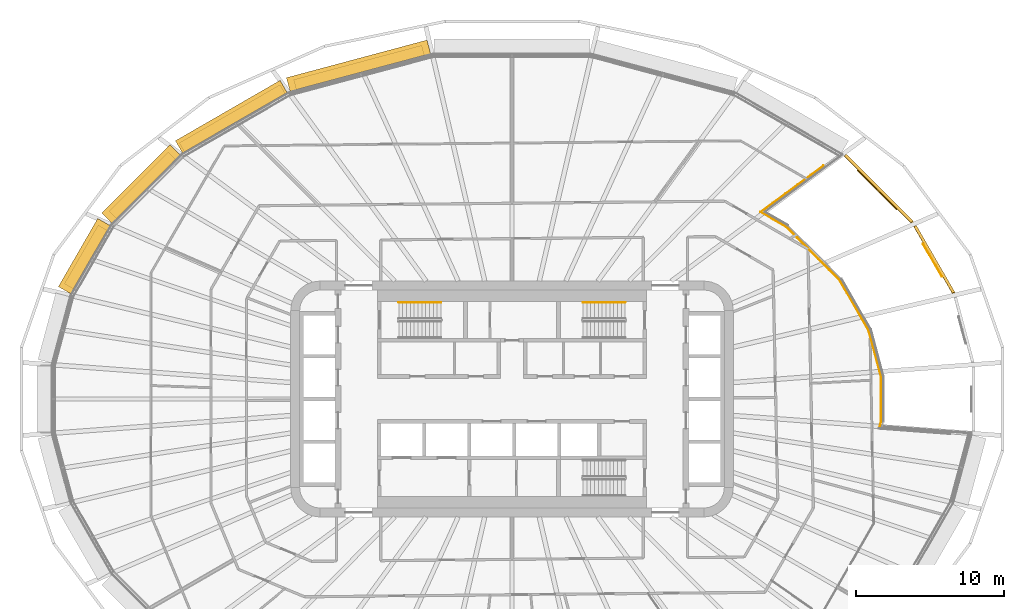
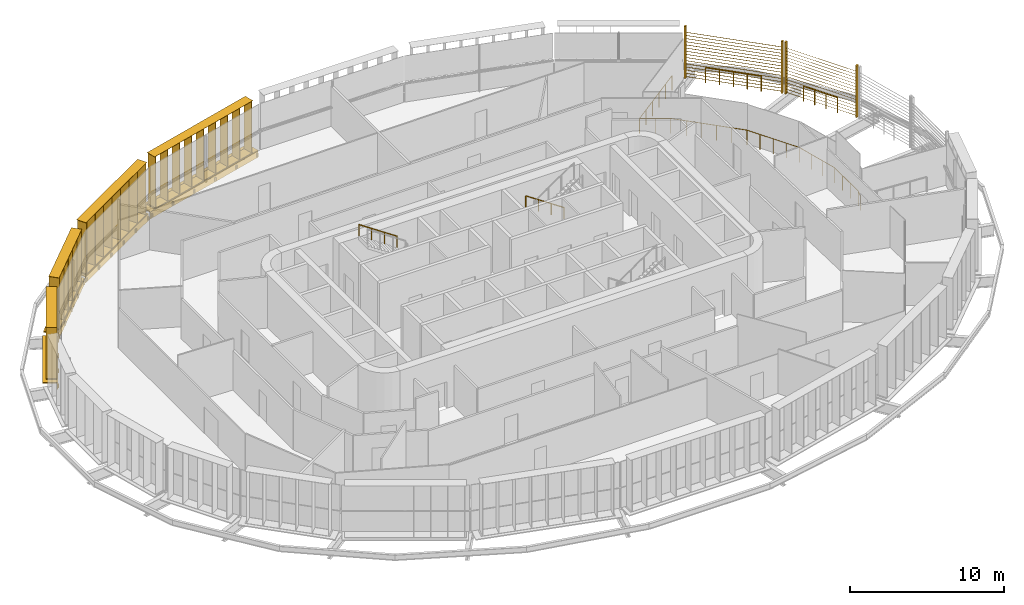
# One storey, part 23 of 24: 10 shading devices, 5 railings.
"""IFC4 building model written with IfcOpenShell, lengths in metres."""

from ifc_helpers import new_model, si_unit, direction, frame, origin, origin_2d, place, context, subcontext, project, spatial, rectangle, circle, extrude, material, type_object, element, save


model = new_model("IFC4")

# Units and contexts
model_context = context("Model", 3, precision=1e-05, world=origin(), true_north=direction((0.0, 1.0)))
body_context = subcontext(model_context, "Body", "Model", "MODEL_VIEW")
ifc_project = project(units=[si_unit("LENGTHUNIT", "METRE"), si_unit("AREAUNIT", "SQUARE_METRE"), si_unit("VOLUMEUNIT", "CUBIC_METRE"), si_unit("PLANEANGLEUNIT", "RADIAN"), si_unit("MASSUNIT", "GRAM", prefix="KILO")], contexts=[model_context])

# Site, building, storey
site_placement = place(None, origin())
site = spatial("IfcSite", under=ifc_project, at=site_placement, CompositionType="ELEMENT")
building_placement = place(site_placement, origin())
building = spatial("IfcBuilding", under=site, at=building_placement, Name="Sahrelin Media Tower", CompositionType="ELEMENT")
storey_placement = place(building_placement, frame((0.0, 0.0, 71.39990234375)))
storey = spatial("IfcBuildingStorey", under=building, at=storey_placement, Name="L12", CompositionType="ELEMENT", Elevation=71.39990234375)

# Shading devices
ifc_material_1 = material(Name="Champagne anodised aluminium 6063-T6", Category="aluminium")
shading_device_type_1 = type_object("IfcShadingDeviceType", Name="Fin cassette", PredefinedType="USERDEFINED", material=ifc_material_1)
placement_1 = place(storey_placement, frame((-10.263916015625, 22.072509765625, 0.0), z_axis=(0.0, 0.0, 1.0), x_axis=(0.965928857556, 0.258807731996, 0.0)))
element("IfcShadingDevice", 1, at=placement_1, inside=storey, type_object=shading_device_type_1, Name="L12:FIN:L12-07", ObjectType="FIN", PredefinedType="USERDEFINED", context=body_context, shape_type="SweptSolid", body=[
    extrude(rectangle(XDim=9.0, YDim=0.699951171875, at=origin_2d()), frame((0.0, 0.419921875, 0.0)), (0.0, 0.0, 1.0), 0.02001953125),
    extrude(rectangle(XDim=9.0, YDim=0.699951171875, at=origin_2d()), frame((0.0, 0.419921875, 4.10009765625)), (0.0, 0.0, 1.0), 0.02001953125),
    extrude(rectangle(XDim=0.02001953125, YDim=0.699951171875, at=origin_2d()), frame((-4.39990234375, 0.419921875, 0.010009765625), z_axis=(0.0, 0.0, 1.0), x_axis=(1.0, 0.0, 0.0)), (0.0, 0.0, 1.0), 4.10009765625),
    extrude(rectangle(XDim=0.02001953125, YDim=0.699951171875, at=origin_2d()), frame((-3.300048828125, 0.419921875, 0.010009765625), z_axis=(0.0, 0.0, 1.0), x_axis=(1.0, 0.0, 0.0)), (0.0, 0.0, 1.0), 4.10009765625),
    extrude(rectangle(XDim=0.02001953125, YDim=0.699951171875, at=origin_2d()), frame((-2.199951171875, 0.419921875, 0.010009765625), z_axis=(0.0, 0.0, 1.0), x_axis=(1.0, 0.0, 0.0)), (0.0, 0.0, 1.0), 4.10009765625),
    extrude(rectangle(XDim=0.02001953125, YDim=0.699951171875, at=origin_2d()), frame((-1.10009765625, 0.419921875, 0.010009765625), z_axis=(0.0, 0.0, 1.0), x_axis=(1.0, 0.0, 0.0)), (0.0, 0.0, 1.0), 4.10009765625),
    extrude(rectangle(XDim=0.02001953125, YDim=0.699951171875, at=origin_2d()), frame((0.0, 0.419921875, 0.010009765625), z_axis=(0.0, 0.0, 1.0), x_axis=(1.0, 0.0, 0.0)), (0.0, 0.0, 1.0), 4.10009765625),
    extrude(rectangle(XDim=0.02001953125, YDim=0.699951171875, at=origin_2d()), frame((1.10009765625, 0.419921875, 0.010009765625), z_axis=(0.0, 0.0, 1.0), x_axis=(1.0, 0.0, 0.0)), (0.0, 0.0, 1.0), 4.10009765625),
    extrude(rectangle(XDim=0.02001953125, YDim=0.699951171875, at=origin_2d()), frame((2.199951171875, 0.419921875, 0.010009765625), z_axis=(0.0, 0.0, 1.0), x_axis=(1.0, 0.0, 0.0)), (0.0, 0.0, 1.0), 4.10009765625),
    extrude(rectangle(XDim=0.02001953125, YDim=0.699951171875, at=origin_2d()), frame((3.300048828125, 0.419921875, 0.010009765625), z_axis=(0.0, 0.0, 1.0), x_axis=(1.0, 0.0, 0.0)), (0.0, 0.0, 1.0), 4.10009765625),
    extrude(rectangle(XDim=0.02001953125, YDim=0.699951171875, at=origin_2d()), frame((4.39990234375, 0.419921875, 0.010009765625), z_axis=(0.0, 0.0, 1.0), x_axis=(1.0, 0.0, 0.0)), (0.0, 0.0, 1.0), 4.10009765625),
])
placement_2 = place(storey_placement, frame((-18.75830078125, 18.672119140625, 0.0), z_axis=(0.0, 0.0, 1.0), x_axis=(0.866019052629, 0.500011000363, 0.0)))
element("IfcShadingDevice", 2, at=placement_2, inside=storey, type_object=shading_device_type_1, Name="L12:FIN:L12-08", ObjectType="FIN", PredefinedType="USERDEFINED", context=body_context, shape_type="SweptSolid", body=[
    extrude(rectangle(XDim=7.89990234375, YDim=0.699951171875, at=origin_2d()), frame((0.0, 0.419921875, 0.0)), (0.0, 0.0, 1.0), 0.02001953125),
    extrude(rectangle(XDim=7.89990234375, YDim=0.699951171875, at=origin_2d()), frame((0.0, 0.419921875, 4.10009765625)), (0.0, 0.0, 1.0), 0.02001953125),
    extrude(rectangle(XDim=0.02001953125, YDim=0.699951171875, at=origin_2d()), frame((-3.85009765625, 0.419921875, 0.010009765625), z_axis=(0.0, 0.0, 1.0), x_axis=(1.0, 0.0, 0.0)), (0.0, 0.0, 1.0), 4.10009765625),
    extrude(rectangle(XDim=0.02001953125, YDim=0.699951171875, at=origin_2d()), frame((-2.75, 0.419921875, 0.010009765625), z_axis=(0.0, 0.0, 1.0), x_axis=(1.0, 0.0, 0.0)), (0.0, 0.0, 1.0), 4.10009765625),
    extrude(rectangle(XDim=0.02001953125, YDim=0.699951171875, at=origin_2d()), frame((-1.64990234375, 0.419921875, 0.010009765625), z_axis=(0.0, 0.0, 1.0), x_axis=(1.0, 0.0, 0.0)), (0.0, 0.0, 1.0), 4.10009765625),
    extrude(rectangle(XDim=0.02001953125, YDim=0.699951171875, at=origin_2d()), frame((-0.550048828125, 0.419921875, 0.010009765625), z_axis=(0.0, 0.0, 1.0), x_axis=(1.0, 0.0, 0.0)), (0.0, 0.0, 1.0), 4.10009765625),
    extrude(rectangle(XDim=0.02001953125, YDim=0.699951171875, at=origin_2d()), frame((0.550048828125, 0.419921875, 0.010009765625), z_axis=(0.0, 0.0, 1.0), x_axis=(1.0, 0.0, 0.0)), (0.0, 0.0, 1.0), 4.10009765625),
    extrude(rectangle(XDim=0.02001953125, YDim=0.699951171875, at=origin_2d()), frame((1.64990234375, 0.419921875, 0.010009765625), z_axis=(0.0, 0.0, 1.0), x_axis=(1.0, 0.0, 0.0)), (0.0, 0.0, 1.0), 4.10009765625),
    extrude(rectangle(XDim=0.02001953125, YDim=0.699951171875, at=origin_2d()), frame((2.75, 0.419921875, 0.010009765625), z_axis=(0.0, 0.0, 1.0), x_axis=(1.0, 0.0, 0.0)), (0.0, 0.0, 1.0), 4.10009765625),
    extrude(rectangle(XDim=0.02001953125, YDim=0.699951171875, at=origin_2d()), frame((3.85009765625, 0.419921875, 0.010009765625), z_axis=(0.0, 0.0, 1.0), x_axis=(1.0, 0.0, 0.0)), (0.0, 0.0, 1.0), 4.10009765625),
])
placement_3 = place(storey_placement, frame((-24.771240234375, 14.19482421875, 0.0), z_axis=(0.0, 0.0, 1.0), x_axis=(0.707106781187, 0.707106781187, 0.0)))
element("IfcShadingDevice", 3, at=placement_3, inside=storey, type_object=shading_device_type_1, Name="L12:FIN:L12-09", ObjectType="FIN", PredefinedType="USERDEFINED", context=body_context, shape_type="SweptSolid", body=[
    extrude(rectangle(XDim=5.699951171875, YDim=0.699951171875, at=origin_2d()), frame((0.0, 0.419921875, 0.0)), (0.0, 0.0, 1.0), 0.02001953125),
    extrude(rectangle(XDim=5.699951171875, YDim=0.699951171875, at=origin_2d()), frame((0.0, 0.419921875, 4.10009765625)), (0.0, 0.0, 1.0), 0.02001953125),
    extrude(rectangle(XDim=0.02001953125, YDim=0.699951171875, at=origin_2d()), frame((-2.75, 0.419921875, 0.010009765625), z_axis=(0.0, 0.0, 1.0), x_axis=(1.0, 0.0, 0.0)), (0.0, 0.0, 1.0), 4.10009765625),
    extrude(rectangle(XDim=0.02001953125, YDim=0.699951171875, at=origin_2d()), frame((-1.64990234375, 0.419921875, 0.010009765625), z_axis=(0.0, 0.0, 1.0), x_axis=(1.0, 0.0, 0.0)), (0.0, 0.0, 1.0), 4.10009765625),
    extrude(rectangle(XDim=0.02001953125, YDim=0.699951171875, at=origin_2d()), frame((-0.550048828125, 0.419921875, 0.010009765625), z_axis=(0.0, 0.0, 1.0), x_axis=(1.0, 0.0, 0.0)), (0.0, 0.0, 1.0), 4.10009765625),
    extrude(rectangle(XDim=0.02001953125, YDim=0.699951171875, at=origin_2d()), frame((0.550048828125, 0.419921875, 0.010009765625), z_axis=(0.0, 0.0, 1.0), x_axis=(1.0, 0.0, 0.0)), (0.0, 0.0, 1.0), 4.10009765625),
    extrude(rectangle(XDim=0.02001953125, YDim=0.699951171875, at=origin_2d()), frame((1.64990234375, 0.419921875, 0.010009765625), z_axis=(0.0, 0.0, 1.0), x_axis=(1.0, 0.0, 0.0)), (0.0, 0.0, 1.0), 4.10009765625),
    extrude(rectangle(XDim=0.02001953125, YDim=0.699951171875, at=origin_2d()), frame((2.75, 0.419921875, 0.010009765625), z_axis=(0.0, 0.0, 1.0), x_axis=(1.0, 0.0, 0.0)), (0.0, 0.0, 1.0), 4.10009765625),
])
placement_4 = place(storey_placement, frame((-28.5341796875, 9.4189453125, 0.0), z_axis=(0.0, 0.0, 1.0), x_axis=(0.500011000363, 0.866019052629, 0.0)))
element("IfcShadingDevice", 4, at=placement_4, inside=storey, type_object=shading_device_type_1, Name="L12:FIN:L12-10", ObjectType="FIN", PredefinedType="USERDEFINED", context=body_context, shape_type="SweptSolid", body=[
    extrude(rectangle(XDim=4.60009765625, YDim=0.699951171875, at=origin_2d()), frame((0.0, 0.419921875, 0.0)), (0.0, 0.0, 1.0), 0.02001953125),
    extrude(rectangle(XDim=4.60009765625, YDim=0.699951171875, at=origin_2d()), frame((0.0, 0.419921875, 4.10009765625)), (0.0, 0.0, 1.0), 0.02001953125),
    extrude(rectangle(XDim=0.02001953125, YDim=0.699951171875, at=origin_2d()), frame((-2.199951171875, 0.419921875, 0.010009765625), z_axis=(0.0, 0.0, 1.0), x_axis=(1.0, 0.0, 0.0)), (0.0, 0.0, 1.0), 4.10009765625),
    extrude(rectangle(XDim=0.02001953125, YDim=0.699951171875, at=origin_2d()), frame((-1.10009765625, 0.419921875, 0.010009765625), z_axis=(0.0, 0.0, 1.0), x_axis=(1.0, 0.0, 0.0)), (0.0, 0.0, 1.0), 4.10009765625),
    extrude(rectangle(XDim=0.02001953125, YDim=0.699951171875, at=origin_2d()), frame((0.0, 0.419921875, 0.010009765625), z_axis=(0.0, 0.0, 1.0), x_axis=(1.0, 0.0, 0.0)), (0.0, 0.0, 1.0), 4.10009765625),
    extrude(rectangle(XDim=0.02001953125, YDim=0.699951171875, at=origin_2d()), frame((1.10009765625, 0.419921875, 0.010009765625), z_axis=(0.0, 0.0, 1.0), x_axis=(1.0, 0.0, 0.0)), (0.0, 0.0, 1.0), 4.10009765625),
    extrude(rectangle(XDim=0.02001953125, YDim=0.699951171875, at=origin_2d()), frame((2.199951171875, 0.419921875, 0.010009765625), z_axis=(0.0, 0.0, 1.0), x_axis=(1.0, 0.0, 0.0)), (0.0, 0.0, 1.0), 4.10009765625),
])
shading_device_type_2 = type_object("IfcShadingDeviceType", Name="Garden screen", PredefinedType="USERDEFINED", material=ifc_material_1)
shading_device_5_placement = place(storey_placement, frame((28.5341796875, 9.4189453125, 0.0), z_axis=(0.0, 0.0, 1.0), x_axis=(0.500011000363, -0.866019052629, 0.0)))
element("IfcShadingDevice", 5, at=shading_device_5_placement, inside=storey, type_object=shading_device_type_2, Name="L12:SCREEN:L12-02", ObjectType="SCREEN", PredefinedType="USERDEFINED", context=body_context, shape_type="SweptSolid", body=[
    extrude(rectangle(XDim=0.1201171875, YDim=0.199951171875, at=origin_2d()), frame((2.65771484375, 0.10009765625, 0.050048828125), z_axis=(0.0, 0.0, 1.0), x_axis=(1.0, 0.0, 0.0)), (0.0, 0.0, 1.0), 4.099853515625),
    extrude(rectangle(XDim=0.1201171875, YDim=0.199951171875, at=origin_2d()), frame((-2.65771484375, 0.10009765625, 0.050048828125), z_axis=(0.0, 0.0, 1.0), x_axis=(1.0, 0.0, 0.0)), (0.0, 0.0, 1.0), 4.099853515625),
    extrude(rectangle(XDim=0.25, YDim=0.02001953125, at=origin_2d()), frame((2.59765625, 0.10009765625, 0.14990234375), z_axis=(-1.0, 0.0, 0.0), x_axis=(0.0, -0.766044443119, 0.642787609687)), (0.0, 0.0, 1.0), 5.1953125),
    extrude(rectangle(XDim=0.25, YDim=0.02001953125, at=origin_2d()), frame((2.59765625, 0.10009765625, 0.39990234375), z_axis=(-1.0, 0.0, 0.0), x_axis=(0.0, -0.766044443119, 0.642787609687)), (0.0, 0.0, 1.0), 5.1953125),
    extrude(rectangle(XDim=0.25, YDim=0.02001953125, at=origin_2d()), frame((2.59765625, 0.10009765625, 0.64990234375), z_axis=(-1.0, 0.0, 0.0), x_axis=(0.0, -0.766044443119, 0.642787609687)), (0.0, 0.0, 1.0), 5.1953125),
    extrude(rectangle(XDim=0.25, YDim=0.02001953125, at=origin_2d()), frame((2.59765625, 0.10009765625, 0.89990234375), z_axis=(-1.0, 0.0, 0.0), x_axis=(0.0, -0.766044443119, 0.642787609687)), (0.0, 0.0, 1.0), 5.1953125),
    extrude(rectangle(XDim=0.25, YDim=0.02001953125, at=origin_2d()), frame((2.59765625, 0.10009765625, 1.14990234375), z_axis=(-1.0, 0.0, 0.0), x_axis=(0.0, -0.766044443119, 0.642787609687)), (0.0, 0.0, 1.0), 5.1953125),
    extrude(rectangle(XDim=0.25, YDim=0.02001953125, at=origin_2d()), frame((2.59765625, 0.10009765625, 1.39990234375), z_axis=(-1.0, 0.0, 0.0), x_axis=(0.0, -0.766044443119, 0.642787609687)), (0.0, 0.0, 1.0), 5.1953125),
    extrude(rectangle(XDim=0.25, YDim=0.02001953125, at=origin_2d()), frame((2.59765625, 0.10009765625, 1.64990234375), z_axis=(-1.0, 0.0, 0.0), x_axis=(0.0, -0.766044443119, 0.642787609687)), (0.0, 0.0, 1.0), 5.1953125),
    extrude(rectangle(XDim=0.25, YDim=0.02001953125, at=origin_2d()), frame((2.59765625, 0.10009765625, 1.89990234375), z_axis=(-1.0, 0.0, 0.0), x_axis=(0.0, -0.766044443119, 0.642787609687)), (0.0, 0.0, 1.0), 5.1953125),
    extrude(rectangle(XDim=0.25, YDim=0.02001953125, at=origin_2d()), frame((2.59765625, 0.10009765625, 2.14990234375), z_axis=(-1.0, 0.0, 0.0), x_axis=(0.0, -0.766044443119, 0.642787609687)), (0.0, 0.0, 1.0), 5.1953125),
    extrude(rectangle(XDim=0.25, YDim=0.02001953125, at=origin_2d()), frame((2.59765625, 0.10009765625, 2.39990234375), z_axis=(-1.0, 0.0, 0.0), x_axis=(0.0, -0.766044443119, 0.642787609687)), (0.0, 0.0, 1.0), 5.1953125),
    extrude(rectangle(XDim=0.25, YDim=0.02001953125, at=origin_2d()), frame((2.59765625, 0.10009765625, 2.64990234375), z_axis=(-1.0, 0.0, 0.0), x_axis=(0.0, -0.766044443119, 0.642787609687)), (0.0, 0.0, 1.0), 5.1953125),
    extrude(rectangle(XDim=0.25, YDim=0.02001953125, at=origin_2d()), frame((2.59765625, 0.10009765625, 2.89990234375), z_axis=(-1.0, 0.0, 0.0), x_axis=(0.0, -0.766044443119, 0.642787609687)), (0.0, 0.0, 1.0), 5.1953125),
    extrude(rectangle(XDim=0.25, YDim=0.02001953125, at=origin_2d()), frame((2.59765625, 0.10009765625, 3.14990234375), z_axis=(-1.0, 0.0, 0.0), x_axis=(0.0, -0.766044443119, 0.642787609687)), (0.0, 0.0, 1.0), 5.1953125),
    extrude(rectangle(XDim=0.25, YDim=0.02001953125, at=origin_2d()), frame((2.59765625, 0.10009765625, 3.39990234375), z_axis=(-1.0, 0.0, 0.0), x_axis=(0.0, -0.766044443119, 0.642787609687)), (0.0, 0.0, 1.0), 5.1953125),
    extrude(rectangle(XDim=0.25, YDim=0.02001953125, at=origin_2d()), frame((2.59765625, 0.10009765625, 3.64990234375), z_axis=(-1.0, 0.0, 0.0), x_axis=(0.0, -0.766044443119, 0.642787609687)), (0.0, 0.0, 1.0), 5.1953125),
])
shading_device_6_placement = place(storey_placement, frame((24.771484375, 14.195068359375, 0.0), z_axis=(0.0, 0.0, 1.0), x_axis=(0.707106781187, -0.707106781187, 0.0)))
element("IfcShadingDevice", 6, at=shading_device_6_placement, inside=storey, type_object=shading_device_type_2, Name="L12:SCREEN:L12-03", ObjectType="SCREEN", PredefinedType="USERDEFINED", context=body_context, shape_type="SweptSolid", body=[
    extrude(rectangle(XDim=0.1201171875, YDim=0.199951171875, at=origin_2d()), frame((3.25439453125, 0.10009765625, 0.050048828125), z_axis=(0.0, 0.0, 1.0), x_axis=(1.0, 0.0, 0.0)), (0.0, 0.0, 1.0), 4.099853515625),
    extrude(rectangle(XDim=0.1201171875, YDim=0.199951171875, at=origin_2d()), frame((-3.25439453125, 0.10009765625, 0.050048828125), z_axis=(0.0, 0.0, 1.0), x_axis=(1.0, 0.0, 0.0)), (0.0, 0.0, 1.0), 4.099853515625),
    extrude(rectangle(XDim=0.25, YDim=0.02001953125, at=origin_2d()), frame((3.194580078125, 0.10009765625, 0.14990234375), z_axis=(-1.0, 0.0, 0.0), x_axis=(0.0, -0.766044443119, 0.642787609687)), (0.0, 0.0, 1.0), 6.38916015625),
    extrude(rectangle(XDim=0.25, YDim=0.02001953125, at=origin_2d()), frame((3.194580078125, 0.10009765625, 0.39990234375), z_axis=(-1.0, 0.0, 0.0), x_axis=(0.0, -0.766044443119, 0.642787609687)), (0.0, 0.0, 1.0), 6.38916015625),
    extrude(rectangle(XDim=0.25, YDim=0.02001953125, at=origin_2d()), frame((3.194580078125, 0.10009765625, 0.64990234375), z_axis=(-1.0, 0.0, 0.0), x_axis=(0.0, -0.766044443119, 0.642787609687)), (0.0, 0.0, 1.0), 6.38916015625),
    extrude(rectangle(XDim=0.25, YDim=0.02001953125, at=origin_2d()), frame((3.194580078125, 0.10009765625, 0.89990234375), z_axis=(-1.0, 0.0, 0.0), x_axis=(0.0, -0.766044443119, 0.642787609687)), (0.0, 0.0, 1.0), 6.38916015625),
    extrude(rectangle(XDim=0.25, YDim=0.02001953125, at=origin_2d()), frame((3.194580078125, 0.10009765625, 1.14990234375), z_axis=(-1.0, 0.0, 0.0), x_axis=(0.0, -0.766044443119, 0.642787609687)), (0.0, 0.0, 1.0), 6.38916015625),
    extrude(rectangle(XDim=0.25, YDim=0.02001953125, at=origin_2d()), frame((3.194580078125, 0.10009765625, 1.39990234375), z_axis=(-1.0, 0.0, 0.0), x_axis=(0.0, -0.766044443119, 0.642787609687)), (0.0, 0.0, 1.0), 6.38916015625),
    extrude(rectangle(XDim=0.25, YDim=0.02001953125, at=origin_2d()), frame((3.194580078125, 0.10009765625, 1.64990234375), z_axis=(-1.0, 0.0, 0.0), x_axis=(0.0, -0.766044443119, 0.642787609687)), (0.0, 0.0, 1.0), 6.38916015625),
    extrude(rectangle(XDim=0.25, YDim=0.02001953125, at=origin_2d()), frame((3.194580078125, 0.10009765625, 1.89990234375), z_axis=(-1.0, 0.0, 0.0), x_axis=(0.0, -0.766044443119, 0.642787609687)), (0.0, 0.0, 1.0), 6.38916015625),
    extrude(rectangle(XDim=0.25, YDim=0.02001953125, at=origin_2d()), frame((3.194580078125, 0.10009765625, 2.14990234375), z_axis=(-1.0, 0.0, 0.0), x_axis=(0.0, -0.766044443119, 0.642787609687)), (0.0, 0.0, 1.0), 6.38916015625),
    extrude(rectangle(XDim=0.25, YDim=0.02001953125, at=origin_2d()), frame((3.194580078125, 0.10009765625, 2.39990234375), z_axis=(-1.0, 0.0, 0.0), x_axis=(0.0, -0.766044443119, 0.642787609687)), (0.0, 0.0, 1.0), 6.38916015625),
    extrude(rectangle(XDim=0.25, YDim=0.02001953125, at=origin_2d()), frame((3.194580078125, 0.10009765625, 2.64990234375), z_axis=(-1.0, 0.0, 0.0), x_axis=(0.0, -0.766044443119, 0.642787609687)), (0.0, 0.0, 1.0), 6.38916015625),
    extrude(rectangle(XDim=0.25, YDim=0.02001953125, at=origin_2d()), frame((3.194580078125, 0.10009765625, 2.89990234375), z_axis=(-1.0, 0.0, 0.0), x_axis=(0.0, -0.766044443119, 0.642787609687)), (0.0, 0.0, 1.0), 6.38916015625),
    extrude(rectangle(XDim=0.25, YDim=0.02001953125, at=origin_2d()), frame((3.194580078125, 0.10009765625, 3.14990234375), z_axis=(-1.0, 0.0, 0.0), x_axis=(0.0, -0.766044443119, 0.642787609687)), (0.0, 0.0, 1.0), 6.38916015625),
    extrude(rectangle(XDim=0.25, YDim=0.02001953125, at=origin_2d()), frame((3.194580078125, 0.10009765625, 3.39990234375), z_axis=(-1.0, 0.0, 0.0), x_axis=(0.0, -0.766044443119, 0.642787609687)), (0.0, 0.0, 1.0), 6.38916015625),
    extrude(rectangle(XDim=0.25, YDim=0.02001953125, at=origin_2d()), frame((3.194580078125, 0.10009765625, 3.64990234375), z_axis=(-1.0, 0.0, 0.0), x_axis=(0.0, -0.766044443119, 0.642787609687)), (0.0, 0.0, 1.0), 6.38916015625),
])

# Railings
ifc_material_2 = material(Name="Stainless steel 316", Category="steel")
railing_type_1 = type_object("IfcRailingType", Name="Sky garden guard", PredefinedType="GUARDRAIL", material=ifc_material_2)
railing_1_placement = place(storey_placement, frame((24.89501953125, -2.006591796875, 0.0)))
element("IfcRailing", 7, at=railing_1_placement, inside=storey, type_object=railing_type_1, Name="Sky garden void guard G1-1", PredefinedType="GUARDRAIL", context=body_context, shape_type="SweptSolid", body=[
    extrude(circle(Radius=0.02392578125, at=origin_2d()), frame((0.0, 0.0, 1.17578125), z_axis=(0.258528295201, 0.966003685594, 0.0), x_axis=(-0.966003685594, 0.258528295201, 0.0)), (0.0, 0.0, 1.0), 0.509033203125),
    extrude(circle(Radius=0.02392578125, at=origin_2d()), frame((0.131591796875, 0.49169921875, 1.17578125), z_axis=(0.0, 1.0, 0.0), x_axis=(-1.0, 0.0, 0.0)), (0.0, 0.0, 1.0), 3.030029296875),
    extrude(circle(Radius=0.02392578125, at=origin_2d()), frame((0.131591796875, 3.521728515625, 1.17578125), z_axis=(-0.258777471043, 0.965936965066, 0.0), x_axis=(-0.965936965066, -0.258777471043, 0.0)), (0.0, 0.0, 1.0), 3.24365234375),
    extrude(circle(Radius=0.02392578125, at=origin_2d()), frame((-0.707763671875, 6.65478515625, 1.17578125), z_axis=(-0.499974286969, 0.866040248701, 0.0), x_axis=(-0.866040248701, -0.499974286969, 0.0)), (0.0, 0.0, 1.0), 3.916259765625),
    extrude(circle(Radius=0.02392578125, at=origin_2d()), frame((-2.665771484375, 10.04638671875, 1.17578125), z_axis=(-0.707106781187, 0.707106781187, 0.0), x_axis=(-0.707106781187, -0.707106781187, 0.0)), (0.0, 0.0, 1.0), 5.109619140625),
    extrude(circle(Radius=0.02392578125, at=origin_2d()), frame((-6.27880859375, 13.659423828125, 1.17578125), z_axis=(-0.866063251609, 0.499934439915, 0.0), x_axis=(-0.499934439915, -0.866063251609, 0.0)), (0.0, 0.0, 1.0), 2.027099609375),
    extrude(circle(Radius=0.02392578125, at=origin_2d()), frame((-8.034423828125, 14.6728515625, 1.17578125), z_axis=(0.803770757903, 0.594939130282, 0.0), x_axis=(-0.594939130282, 0.803770757903, 0.0)), (0.0, 0.0, 1.0), 5.2841796875),
    extrude(circle(Radius=0.02099609375, at=origin_2d()), origin(), (0.0, 0.0, 1.0), 1.15185546875),
    extrude(circle(Radius=0.02099609375, at=origin_2d()), frame((0.131591796875, 0.49169921875, 0.0)), (0.0, 0.0, 1.0), 1.15185546875),
    extrude(circle(Radius=0.02099609375, at=origin_2d()), frame((0.131591796875, 1.501708984375, 0.0)), (0.0, 0.0, 1.0), 1.15185546875),
    extrude(circle(Radius=0.02099609375, at=origin_2d()), frame((0.131591796875, 2.51171875, 0.0)), (0.0, 0.0, 1.0), 1.15185546875),
    extrude(circle(Radius=0.02099609375, at=origin_2d()), frame((0.131591796875, 3.521728515625, 0.0)), (0.0, 0.0, 1.0), 1.15185546875),
    extrude(circle(Radius=0.02099609375, at=origin_2d()), frame((-0.148193359375, 4.566162109375, 0.0)), (0.0, 0.0, 1.0), 1.15185546875),
    extrude(circle(Radius=0.02099609375, at=origin_2d()), frame((-0.427978515625, 5.6103515625, 0.0)), (0.0, 0.0, 1.0), 1.15185546875),
    extrude(circle(Radius=0.02099609375, at=origin_2d()), frame((-0.707763671875, 6.65478515625, 0.0)), (0.0, 0.0, 1.0), 1.15185546875),
    extrude(circle(Radius=0.02099609375, at=origin_2d()), frame((-1.197265625, 7.502685546875, 0.0)), (0.0, 0.0, 1.0), 1.15185546875),
    extrude(circle(Radius=0.02099609375, at=origin_2d()), frame((-1.686767578125, 8.3505859375, 0.0)), (0.0, 0.0, 1.0), 1.15185546875),
    extrude(circle(Radius=0.02099609375, at=origin_2d()), frame((-2.17626953125, 9.198486328125, 0.0)), (0.0, 0.0, 1.0), 1.15185546875),
    extrude(circle(Radius=0.02099609375, at=origin_2d()), frame((-2.665771484375, 10.04638671875, 0.0)), (0.0, 0.0, 1.0), 1.15185546875),
    extrude(circle(Radius=0.02099609375, at=origin_2d()), frame((-3.388427734375, 10.76904296875, 0.0)), (0.0, 0.0, 1.0), 1.15185546875),
    extrude(circle(Radius=0.02099609375, at=origin_2d()), frame((-4.111083984375, 11.49169921875, 0.0)), (0.0, 0.0, 1.0), 1.15185546875),
    extrude(circle(Radius=0.02099609375, at=origin_2d()), frame((-4.83349609375, 12.214111328125, 0.0)), (0.0, 0.0, 1.0), 1.15185546875),
    extrude(circle(Radius=0.02099609375, at=origin_2d()), frame((-5.55615234375, 12.936767578125, 0.0)), (0.0, 0.0, 1.0), 1.15185546875),
    extrude(circle(Radius=0.02099609375, at=origin_2d()), frame((-6.27880859375, 13.659423828125, 0.0)), (0.0, 0.0, 1.0), 1.15185546875),
    extrude(circle(Radius=0.02099609375, at=origin_2d()), frame((-7.15673828125, 14.166015625, 0.0)), (0.0, 0.0, 1.0), 1.15185546875),
    extrude(circle(Radius=0.02099609375, at=origin_2d()), frame((-8.034423828125, 14.6728515625, 0.0)), (0.0, 0.0, 1.0), 1.15185546875),
    extrude(circle(Radius=0.02099609375, at=origin_2d()), frame((-7.18505859375, 15.301513671875, 0.0)), (0.0, 0.0, 1.0), 1.15185546875),
    extrude(circle(Radius=0.02099609375, at=origin_2d()), frame((-6.33544921875, 15.930419921875, 0.0)), (0.0, 0.0, 1.0), 1.15185546875),
    extrude(circle(Radius=0.02099609375, at=origin_2d()), frame((-5.486083984375, 16.55908203125, 0.0)), (0.0, 0.0, 1.0), 1.15185546875),
    extrude(circle(Radius=0.02099609375, at=origin_2d()), frame((-4.636474609375, 17.18798828125, 0.0)), (0.0, 0.0, 1.0), 1.15185546875),
    extrude(circle(Radius=0.02099609375, at=origin_2d()), frame((-3.787109375, 17.816650390625, 0.0)), (0.0, 0.0, 1.0), 1.15185546875),
])
railing_2_placement = place(storey_placement, frame((23.435546875, 15.4990234375, 0.0)))
element("IfcRailing", 8, at=railing_2_placement, inside=storey, type_object=railing_type_1, Name="Sky garden void guard G1-2", PredefinedType="GUARDRAIL", context=body_context, shape_type="SweptSolid", body=[
    extrude(circle(Radius=0.02392578125, at=origin_2d()), frame((0.0, 0.0, 1.17578125), z_axis=(0.707106781187, -0.707106781187, 0.0), x_axis=(0.707106781187, 0.707106781187, 0.0)), (0.0, 0.0, 1.0), 3.7333984375),
    extrude(circle(Radius=0.02099609375, at=origin_2d()), origin(), (0.0, 0.0, 1.0), 1.15185546875),
    extrude(circle(Radius=0.02099609375, at=origin_2d()), frame((0.659912109375, -0.659912109375, 0.0)), (0.0, 0.0, 1.0), 1.15185546875),
    extrude(circle(Radius=0.02099609375, at=origin_2d()), frame((1.31982421875, -1.31982421875, 0.0)), (0.0, 0.0, 1.0), 1.15185546875),
    extrude(circle(Radius=0.02099609375, at=origin_2d()), frame((1.97998046875, -1.97998046875, 0.0)), (0.0, 0.0, 1.0), 1.15185546875),
    extrude(circle(Radius=0.02099609375, at=origin_2d()), frame((2.639892578125, -2.639892578125, 0.0)), (0.0, 0.0, 1.0), 1.15185546875),
])
railing_3_placement = place(storey_placement, frame((27.877197265625, 10.51171875, 0.0)))
element("IfcRailing", 9, at=railing_3_placement, inside=storey, type_object=railing_type_1, Name="Sky garden void guard G1-3", PredefinedType="GUARDRAIL", context=body_context, shape_type="SweptSolid", body=[
    extrude(circle(Radius=0.02392578125, at=origin_2d()), frame((0.0, 0.0, 1.17578125), z_axis=(0.500095627077, -0.865970186426, 0.0), x_axis=(0.865970186426, 0.500095627077, 0.0)), (0.0, 0.0, 1.0), 2.54833984375),
    extrude(circle(Radius=0.02099609375, at=origin_2d()), origin(), (0.0, 0.0, 1.0), 1.15185546875),
    extrude(circle(Radius=0.02099609375, at=origin_2d()), frame((0.4248046875, -0.735595703125, 0.0)), (0.0, 0.0, 1.0), 1.15185546875),
    extrude(circle(Radius=0.02099609375, at=origin_2d()), frame((0.849609375, -1.47119140625, 0.0)), (0.0, 0.0, 1.0), 1.15185546875),
    extrude(circle(Radius=0.02099609375, at=origin_2d()), frame((1.2744140625, -2.206787109375, 0.0)), (0.0, 0.0, 1.0), 1.15185546875),
])
ifc_material_3 = material(Name="Steel S355", Category="steel")
railing_type_2 = type_object("IfcRailingType", Name="Stair handrail 900", PredefinedType="HANDRAIL", material=ifc_material_3)
for number, where, name in (
    (10, (-4.81494140625, 6.550048828125, 2.275146484375), "L12 ST1 stair handrail 2"),
    (11, (7.675048828125, 6.550048828125, 0.175048828125), "L12 ST3 stair handrail 1"),
):
    element("IfcRailing", number, at=place(storey_placement, frame(where)), inside=storey, type_object=railing_type_2, Name=name, PredefinedType="HANDRAIL", context=body_context, shape_type="SweptSolid", body=[
        extrude(circle(Radius=0.02392578125, at=origin_2d()), frame((0.0, 0.0, 0.8759765625), z_axis=(-0.829590901723, 0.0, 0.558371682465), x_axis=(0.0, -1.0, 0.0)), (0.0, 0.0, 1.0), 3.447509765625),
        extrude(circle(Radius=0.02099609375, at=origin_2d()), origin(), (0.0, 0.0, 1.0), 0.851806640625),
        extrude(circle(Radius=0.02099609375, at=origin_2d()), frame((-0.953369140625, 0.0, 0.6416015625)), (0.0, 0.0, 1.0), 0.851806640625),
        extrude(circle(Radius=0.02099609375, at=origin_2d()), frame((-1.90673828125, 0.0, 1.283447265625)), (0.0, 0.0, 1.0), 0.851806640625),
        extrude(circle(Radius=0.02099609375, at=origin_2d()), frame((-2.860107421875, 0.0, 1.925048828125)), (0.0, 0.0, 1.0), 0.851806640625),
    ])

# Shading devices
shading_device_type_3 = type_object("IfcShadingDeviceType", Name="Sunshade band", PredefinedType="USERDEFINED", material=ifc_material_1)
element("IfcShadingDevice", 12, at=placement_1, inside=storey, type_object=shading_device_type_3, Name="L12:SUN:L12-07", ObjectType="SUNSHADE", PredefinedType="USERDEFINED", context=body_context, shape_type="SweptSolid", body=[
    extrude(rectangle(XDim=9.86328125, YDim=0.050048828125, at=origin_2d()), frame((0.0, 0.044921875, -0.55126953125)), (0.0, 0.0, 1.0), 0.471435546875),
    extrude(rectangle(XDim=9.86328125, YDim=1.0, at=origin_2d()), frame((0.0, 0.52001953125, -0.080078125)), (0.0, 0.0, 1.0), 0.080078125),
    extrude(rectangle(XDim=0.10009765625, YDim=0.074951171875, at=origin_2d()), frame((-4.831787109375, -0.017578125, -0.47021484375)), (0.0, 0.0, 1.0), 0.300048828125),
    extrude(rectangle(XDim=0.10009765625, YDim=0.074951171875, at=origin_2d()), frame((-2.89892578125, -0.017578125, -0.47021484375)), (0.0, 0.0, 1.0), 0.300048828125),
    extrude(rectangle(XDim=0.10009765625, YDim=0.074951171875, at=origin_2d()), frame((-0.96630859375, -0.017578125, -0.47021484375)), (0.0, 0.0, 1.0), 0.300048828125),
    extrude(rectangle(XDim=0.10009765625, YDim=0.074951171875, at=origin_2d()), frame((0.96630859375, -0.017578125, -0.47021484375)), (0.0, 0.0, 1.0), 0.300048828125),
    extrude(rectangle(XDim=0.10009765625, YDim=0.074951171875, at=origin_2d()), frame((2.89892578125, -0.017578125, -0.47021484375)), (0.0, 0.0, 1.0), 0.300048828125),
    extrude(rectangle(XDim=0.10009765625, YDim=0.074951171875, at=origin_2d()), frame((4.831787109375, -0.017578125, -0.47021484375)), (0.0, 0.0, 1.0), 0.300048828125),
])
element("IfcShadingDevice", 13, at=placement_2, inside=storey, type_object=shading_device_type_3, Name="L12:SUN:L12-08", ObjectType="SUNSHADE", PredefinedType="USERDEFINED", context=body_context, shape_type="SweptSolid", body=[
    extrude(rectangle(XDim=8.1923828125, YDim=0.050048828125, at=origin_2d()), frame((0.0, 0.044921875, -0.55126953125)), (0.0, 0.0, 1.0), 0.471435546875),
    extrude(rectangle(XDim=8.1923828125, YDim=1.0, at=origin_2d()), frame((0.0, 0.52001953125, -0.080078125)), (0.0, 0.0, 1.0), 0.080078125),
    extrude(rectangle(XDim=0.10009765625, YDim=0.074951171875, at=origin_2d()), frame((-3.99609375, -0.017578125, -0.47021484375)), (0.0, 0.0, 1.0), 0.300048828125),
    extrude(rectangle(XDim=0.10009765625, YDim=0.074951171875, at=origin_2d()), frame((-2.397705078125, -0.017578125, -0.47021484375)), (0.0, 0.0, 1.0), 0.300048828125),
    extrude(rectangle(XDim=0.10009765625, YDim=0.074951171875, at=origin_2d()), frame((-0.79931640625, -0.017578125, -0.47021484375)), (0.0, 0.0, 1.0), 0.300048828125),
    extrude(rectangle(XDim=0.10009765625, YDim=0.074951171875, at=origin_2d()), frame((0.79931640625, -0.017578125, -0.47021484375)), (0.0, 0.0, 1.0), 0.300048828125),
    extrude(rectangle(XDim=0.10009765625, YDim=0.074951171875, at=origin_2d()), frame((2.397705078125, -0.017578125, -0.47021484375)), (0.0, 0.0, 1.0), 0.300048828125),
    extrude(rectangle(XDim=0.10009765625, YDim=0.074951171875, at=origin_2d()), frame((3.99609375, -0.017578125, -0.47021484375)), (0.0, 0.0, 1.0), 0.300048828125),
])
element("IfcShadingDevice", 14, at=placement_3, inside=storey, type_object=shading_device_type_3, Name="L12:SUN:L12-09", ObjectType="SUNSHADE", PredefinedType="USERDEFINED", context=body_context, shape_type="SweptSolid", body=[
    extrude(rectangle(XDim=6.529052734375, YDim=0.050048828125, at=origin_2d()), frame((0.0, 0.044921875, -0.55126953125)), (0.0, 0.0, 1.0), 0.471435546875),
    extrude(rectangle(XDim=6.529052734375, YDim=1.0, at=origin_2d()), frame((0.0, 0.52001953125, -0.080078125)), (0.0, 0.0, 1.0), 0.080078125),
    extrude(rectangle(XDim=0.10009765625, YDim=0.074951171875, at=origin_2d()), frame((-3.16455078125, -0.017578125, -0.47021484375)), (0.0, 0.0, 1.0), 0.300048828125),
    extrude(rectangle(XDim=0.10009765625, YDim=0.074951171875, at=origin_2d()), frame((-1.582275390625, -0.017578125, -0.47021484375)), (0.0, 0.0, 1.0), 0.300048828125),
    extrude(rectangle(XDim=0.10009765625, YDim=0.074951171875, at=origin_2d()), frame((0.0, -0.017578125, -0.47021484375)), (0.0, 0.0, 1.0), 0.300048828125),
    extrude(rectangle(XDim=0.10009765625, YDim=0.074951171875, at=origin_2d()), frame((1.582275390625, -0.017578125, -0.47021484375)), (0.0, 0.0, 1.0), 0.300048828125),
    extrude(rectangle(XDim=0.10009765625, YDim=0.074951171875, at=origin_2d()), frame((3.16455078125, -0.017578125, -0.47021484375)), (0.0, 0.0, 1.0), 0.300048828125),
])
element("IfcShadingDevice", 15, at=placement_4, inside=storey, type_object=shading_device_type_3, Name="L12:SUN:L12-10", ObjectType="SUNSHADE", PredefinedType="USERDEFINED", context=body_context, shape_type="SweptSolid", body=[
    extrude(rectangle(XDim=5.33544921875, YDim=0.050048828125, at=origin_2d()), frame((0.0, 0.044921875, -0.55126953125)), (0.0, 0.0, 1.0), 0.471435546875),
    extrude(rectangle(XDim=5.33544921875, YDim=1.0, at=origin_2d()), frame((0.0, 0.52001953125, -0.080078125)), (0.0, 0.0, 1.0), 0.080078125),
    extrude(rectangle(XDim=0.10009765625, YDim=0.074951171875, at=origin_2d()), frame((-2.567626953125, -0.017578125, -0.47021484375)), (0.0, 0.0, 1.0), 0.300048828125),
    extrude(rectangle(XDim=0.10009765625, YDim=0.074951171875, at=origin_2d()), frame((-0.85595703125, -0.017578125, -0.47021484375)), (0.0, 0.0, 1.0), 0.300048828125),
    extrude(rectangle(XDim=0.10009765625, YDim=0.074951171875, at=origin_2d()), frame((0.85595703125, -0.017578125, -0.47021484375)), (0.0, 0.0, 1.0), 0.300048828125),
    extrude(rectangle(XDim=0.10009765625, YDim=0.074951171875, at=origin_2d()), frame((2.567626953125, -0.017578125, -0.47021484375)), (0.0, 0.0, 1.0), 0.300048828125),
])

save(model, "model.ifc")
